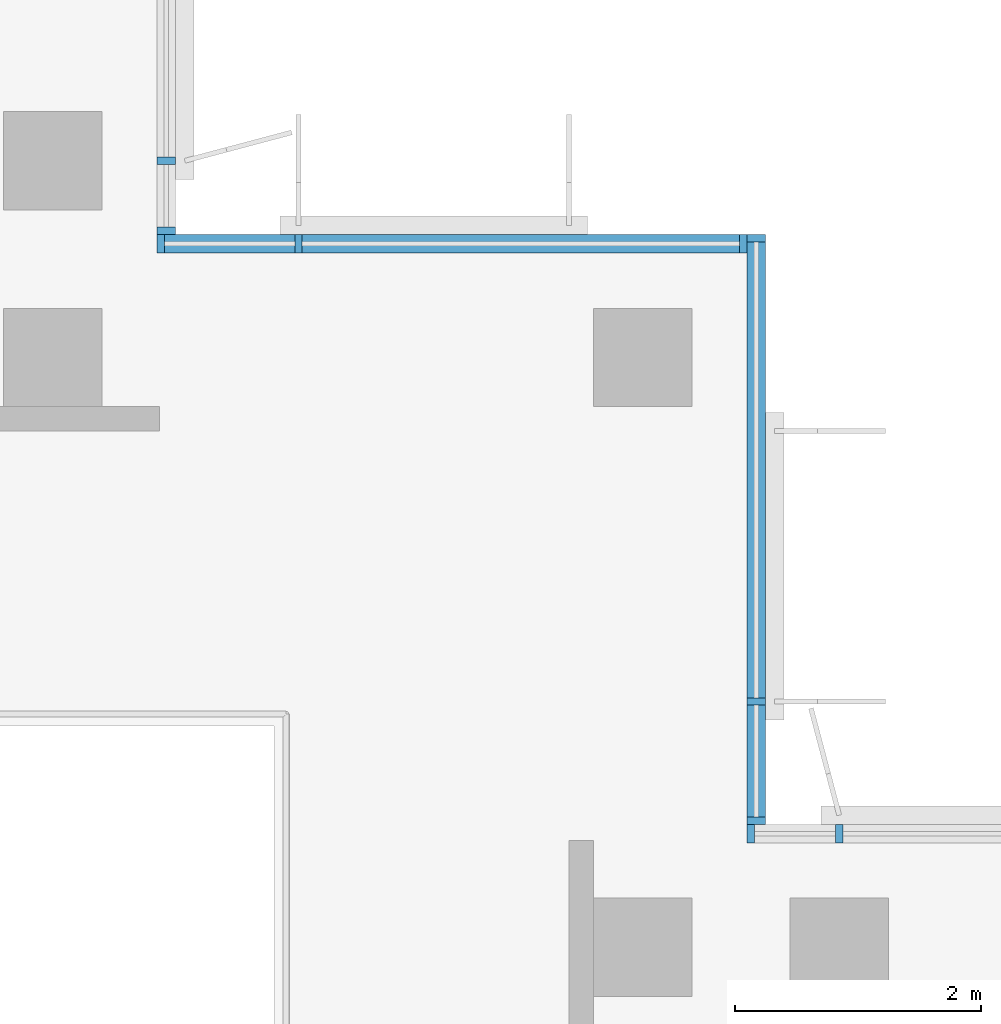
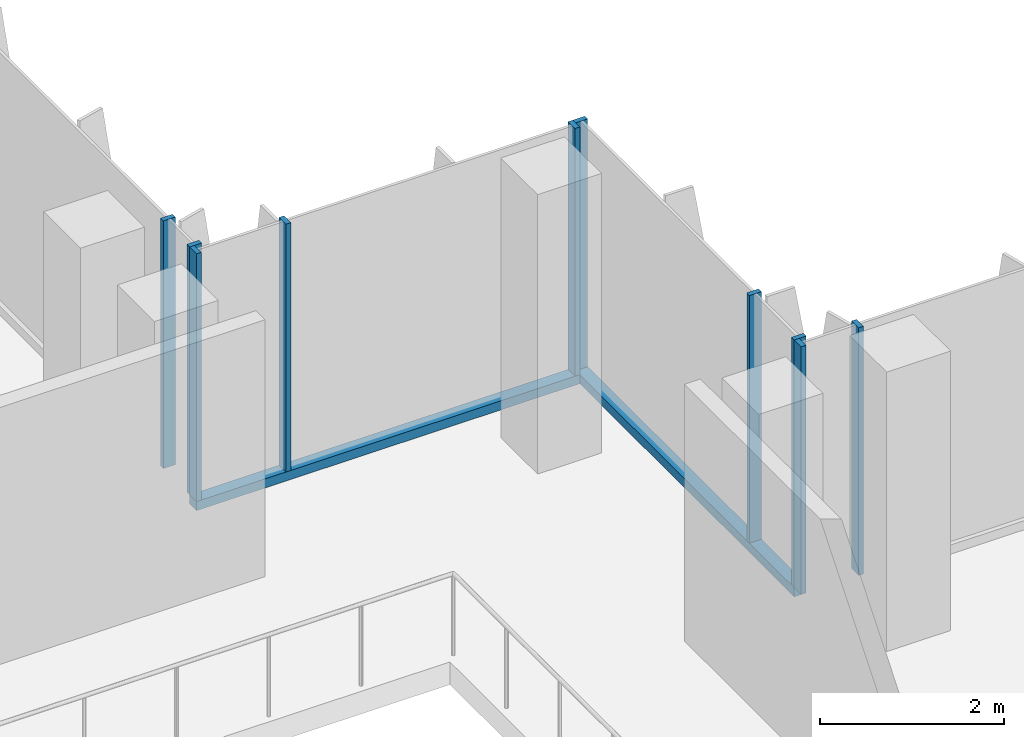
# One storey, part 2 of 15: 12 members, 4 elements without a shape of their own.
"""IFC4 building model written with IfcOpenShell, lengths in metres."""

from ifc_helpers import new_model, si_unit, direction, frame, origin, origin_2d, place, context, subcontext, project, spatial, rectangle, extrude, source, transform, mapped, material, material_profile, profile_set, type_object, element, aggregate, save


model = new_model("IFC4")

# Units and contexts
model_context = context("Model", 3, precision=1e-05, world=origin(), true_north=direction((0.0, 1.0)))
body_context = subcontext(model_context, "Body", "Model", "MODEL_VIEW")
ifc_project = project(units=[si_unit("LENGTHUNIT", "METRE"), si_unit("AREAUNIT", "SQUARE_METRE"), si_unit("VOLUMEUNIT", "CUBIC_METRE"), si_unit("PLANEANGLEUNIT", "RADIAN"), si_unit("MASSUNIT", "GRAM", prefix="KILO")], contexts=[model_context])

# Site, building, storey
site_placement = place(None, origin())
site = spatial("IfcSite", under=ifc_project, at=site_placement, CompositionType="ELEMENT")
building_placement = place(site_placement, origin())
building = spatial("IfcBuilding", under=site, at=building_placement, Name="Kemantara Hotel Tower", CompositionType="ELEMENT")
storey_placement = place(building_placement, frame((0.0, 0.0, 301.800048828125)))
storey = spatial("IfcBuildingStorey", under=building, at=storey_placement, Name="L76", CompositionType="ELEMENT", Elevation=301.800048828125)

# Curtain wall, member
ifc_material_1 = material(Name="Low-E tinted double insulated glass 36 mm", Category="glass")
curtain_wall_type = type_object("IfcCurtainWallType", Name="TOWER CURTAIN WALL, FRONT FACES", PredefinedType="USERDEFINED", material=ifc_material_1)
curtain_wall_1_placement = place(storey_placement, origin())
curtain_wall_1 = element("IfcCurtainWall", 1, at=curtain_wall_1_placement, inside=storey, type_object=curtain_wall_type, Name="CW4 L76 T4-R13-1", ObjectType="TOWER CURTAIN WALL, FRONT FACES", PredefinedType="USERDEFINED")
ifc_material_2 = material(Name="Aluminium 6063-T6 bronze anodised", Category="aluminium")
ifc_material_profile_1 = material_profile(ifc_material_2, rectangle(XDim=0.14990234375, YDim=0.1201171875, at=origin_2d()), Name="TOWER CURTAIN WALL, FRONT FACES TRANSOM")
ifc_profile_set_1 = profile_set([ifc_material_profile_1], Name="Aluminium 6063-T6 bronze anodised")
member_type_1 = type_object("IfcMemberType", Name="TOWER CURTAIN WALL, FRONT FACES TRANSOM", PredefinedType="USERDEFINED", material=ifc_profile_set_1)
member_1_placement = place(storey_placement, frame((26.72509765625, 22.0, 0.06005859375), z_axis=(0.0, 1.0, 0.0), x_axis=(-1.0, 0.0, 0.0)))
member_1 = element("IfcMember", 2, at=member_1_placement, type_object=member_type_1, Name="CW4 sill transom T4-R13-1", ObjectType="TRANSOM", PredefinedType="USERDEFINED", context=body_context, shape_type="SweptSolid", body=[
    extrude(rectangle(XDim=0.14990234375, YDim=0.1201171875, at=origin_2d()), origin(), (0.0, 0.0, 1.0), 4.800048828125),
])

curtain_wall_2_placement = place(storey_placement, origin())
curtain_wall_2 = element("IfcCurtainWall", 3, at=curtain_wall_2_placement, inside=storey, type_object=curtain_wall_type, Name="CW4 L76 T4-R14-1", ObjectType="TOWER CURTAIN WALL, FRONT FACES", PredefinedType="USERDEFINED")
member_2_placement = place(storey_placement, frame((26.64990234375, 26.72509765625, 0.06005859375), z_axis=(-1.0, 0.0, 0.0), x_axis=(0.0, -1.0, 0.0)))
member_2 = element("IfcMember", 4, at=member_2_placement, type_object=member_type_1, Name="CW4 sill transom T4-R14-1", ObjectType="TRANSOM", PredefinedType="USERDEFINED", context=body_context, shape_type="SweptSolid", body=[
    extrude(rectangle(XDim=0.14990234375, YDim=0.1201171875, at=origin_2d()), origin(), (0.0, 0.0, 1.0), 4.7998046875),
])

# Curtain wall, members
curtain_wall_3_placement = place(storey_placement, origin())
curtain_wall_3 = element("IfcCurtainWall", 5, at=curtain_wall_3_placement, inside=storey, type_object=curtain_wall_type, Name="CW4 L76 T4-R12-1", ObjectType="TOWER CURTAIN WALL, FRONT FACES", PredefinedType="USERDEFINED")
ifc_material_profile_2 = material_profile(ifc_material_2, rectangle(XDim=0.14990234375, YDim=0.06005859375, at=origin_2d()), Name="TOWER CURTAIN WALL, FRONT FACES MULLION")
ifc_profile_set_2 = profile_set([ifc_material_profile_2], Name="Aluminium 6063-T6 bronze anodised")
member_type_2 = type_object("IfcMemberType", Name="TOWER CURTAIN WALL, FRONT FACES MULLION", PredefinedType="MULLION", material=ifc_profile_set_2)
shared_shape = source(origin(), body_context, "Body", "SweptSolid", [
    extrude(rectangle(XDim=0.14990234375, YDim=0.06005859375, at=origin_2d()), origin(), (0.0, 0.0, 1.0), 3.280029296875),
])
member_3_placement = place(storey_placement, frame((27.39990234375, 21.925048828125, 0.119873046875), z_axis=(0.0, 0.0, 1.0), x_axis=(0.0, -1.0, 0.0)))
member_3 = element("IfcMember", 6, at=member_3_placement, type_object=member_type_2, Name="CW4 mullion T4-R12-1.5", PredefinedType="MULLION", context=body_context, shape_type="MappedRepresentation", body=[
    mapped(shared_shape, transform((0.0, 0.0, 0.0))),
])
member_4_placement = place(storey_placement, frame((26.679931640625, 21.925048828125, 0.119873046875), z_axis=(0.0, 0.0, 1.0), x_axis=(0.0, -1.0, 0.0)))
member_4 = element("IfcMember", 7, at=member_4_placement, type_object=member_type_2, Name="CW4 mullion T4-R12-1.6", PredefinedType="MULLION", context=body_context, shape_type="MappedRepresentation", body=[
    mapped(shared_shape, transform((0.0, 0.0, 0.0))),
])
aggregate(curtain_wall_3, [member_3, member_4])

# Member
member_5_placement = place(storey_placement, frame((26.72509765625, 22.030029296875, 0.119873046875), z_axis=(0.0, 0.0, 1.0), x_axis=(-1.0, 0.0, 0.0)))
member_5 = element("IfcMember", 8, at=member_5_placement, type_object=member_type_2, Name="CW4 mullion T4-R13-1.1", PredefinedType="MULLION", context=body_context, shape_type="MappedRepresentation", body=[
    mapped(shared_shape, transform((0.0, 0.0, 0.0))),
])

member_6_placement = place(storey_placement, frame((26.72509765625, 23.0, 0.119873046875), z_axis=(0.0, 0.0, 1.0), x_axis=(-1.0, 0.0, 0.0)))
member_6 = element("IfcMember", 9, at=member_6_placement, type_object=member_type_2, Name="CW4 mullion T4-R13-1.2", PredefinedType="MULLION", context=body_context, shape_type="MappedRepresentation", body=[
    mapped(shared_shape, transform((0.0, 0.0, 0.0))),
])

member_7_placement = place(storey_placement, frame((26.72509765625, 26.77001953125, 0.119873046875), z_axis=(0.0, 0.0, 1.0), x_axis=(-1.0, 0.0, 0.0)))
member_7 = element("IfcMember", 10, at=member_7_placement, type_object=member_type_2, Name="CW4 mullion T4-R13-1.3", PredefinedType="MULLION", context=body_context, shape_type="MappedRepresentation", body=[
    mapped(shared_shape, transform((0.0, 0.0, 0.0))),
])

aggregate(curtain_wall_1, [member_1, member_5, member_6, member_7])

member_8_placement = place(storey_placement, frame((26.6201171875, 26.72509765625, 0.119873046875), z_axis=(0.0, 0.0, 1.0), x_axis=(0.0, -1.0, 0.0)))
member_8 = element("IfcMember", 11, at=member_8_placement, type_object=member_type_2, Name="CW4 mullion T4-R14-1.1", PredefinedType="MULLION", context=body_context, shape_type="MappedRepresentation", body=[
    mapped(shared_shape, transform((0.0, 0.0, 0.0))),
])

member_9_placement = place(storey_placement, frame((23.0, 26.72509765625, 0.119873046875), z_axis=(0.0, 0.0, 1.0), x_axis=(0.0, -1.0, 0.0)))
member_9 = element("IfcMember", 12, at=member_9_placement, type_object=member_type_2, Name="CW4 mullion T4-R14-1.2", PredefinedType="MULLION", context=body_context, shape_type="MappedRepresentation", body=[
    mapped(shared_shape, transform((0.0, 0.0, 0.0))),
])

member_10_placement = place(storey_placement, frame((21.8798828125, 26.72509765625, 0.119873046875), z_axis=(0.0, 0.0, 1.0), x_axis=(0.0, -1.0, 0.0)))
member_10 = element("IfcMember", 13, at=member_10_placement, type_object=member_type_2, Name="CW4 mullion T4-R14-1.3", PredefinedType="MULLION", context=body_context, shape_type="MappedRepresentation", body=[
    mapped(shared_shape, transform((0.0, 0.0, 0.0))),
])

aggregate(curtain_wall_2, [member_2, member_8, member_9, member_10])

# Curtain wall, members
curtain_wall_4_placement = place(storey_placement, origin())
curtain_wall_4 = element("IfcCurtainWall", 14, at=curtain_wall_4_placement, inside=storey, type_object=curtain_wall_type, Name="CW4 L76 T4-R15-1", ObjectType="TOWER CURTAIN WALL, FRONT FACES", PredefinedType="USERDEFINED")
member_11_placement = place(storey_placement, frame((21.925048828125, 26.830078125, 0.119873046875), z_axis=(0.0, 0.0, 1.0), x_axis=(-1.0, 0.0, 0.0)))
member_11 = element("IfcMember", 15, at=member_11_placement, type_object=member_type_2, Name="CW4 mullion T4-R15-1.1", PredefinedType="MULLION", context=body_context, shape_type="MappedRepresentation", body=[
    mapped(shared_shape, transform((0.0, 0.0, 0.0))),
])
member_12_placement = place(storey_placement, frame((21.925048828125, 27.39990234375, 0.119873046875), z_axis=(0.0, 0.0, 1.0), x_axis=(-1.0, 0.0, 0.0)))
member_12 = element("IfcMember", 16, at=member_12_placement, type_object=member_type_2, Name="CW4 mullion T4-R15-1.2", PredefinedType="MULLION", context=body_context, shape_type="MappedRepresentation", body=[
    mapped(shared_shape, transform((0.0, 0.0, 0.0))),
])
aggregate(curtain_wall_4, [member_11, member_12])

save(model, "model.ifc")
